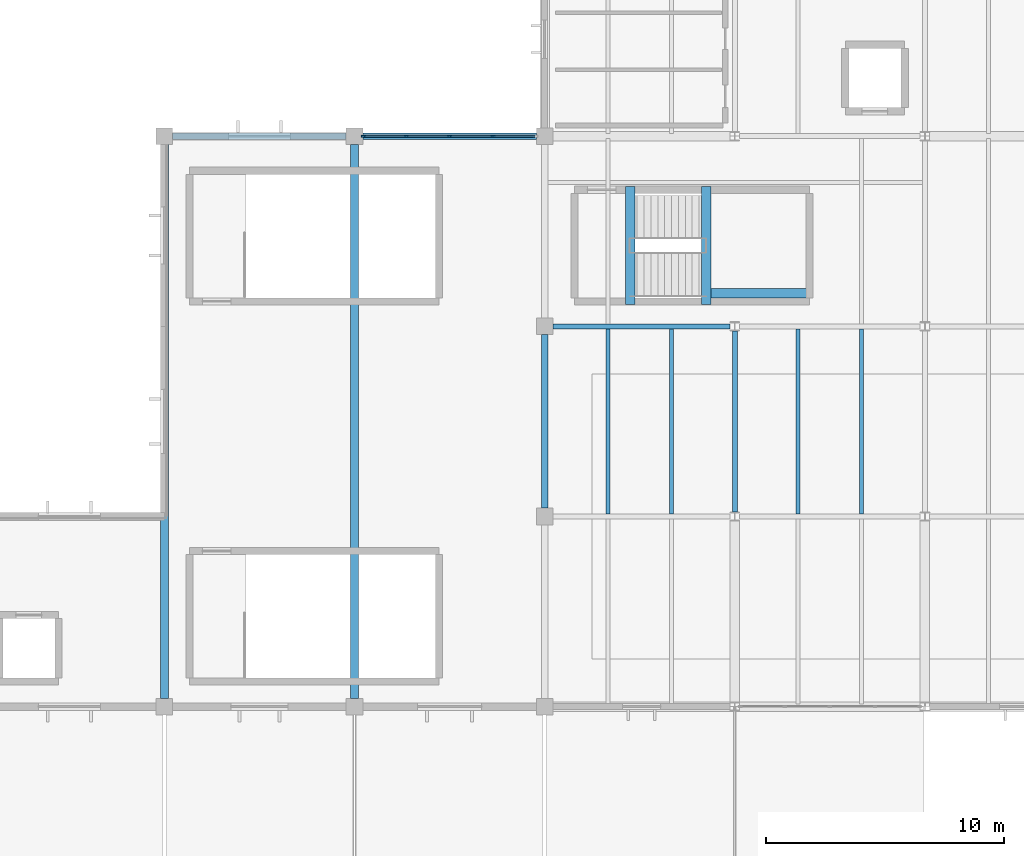
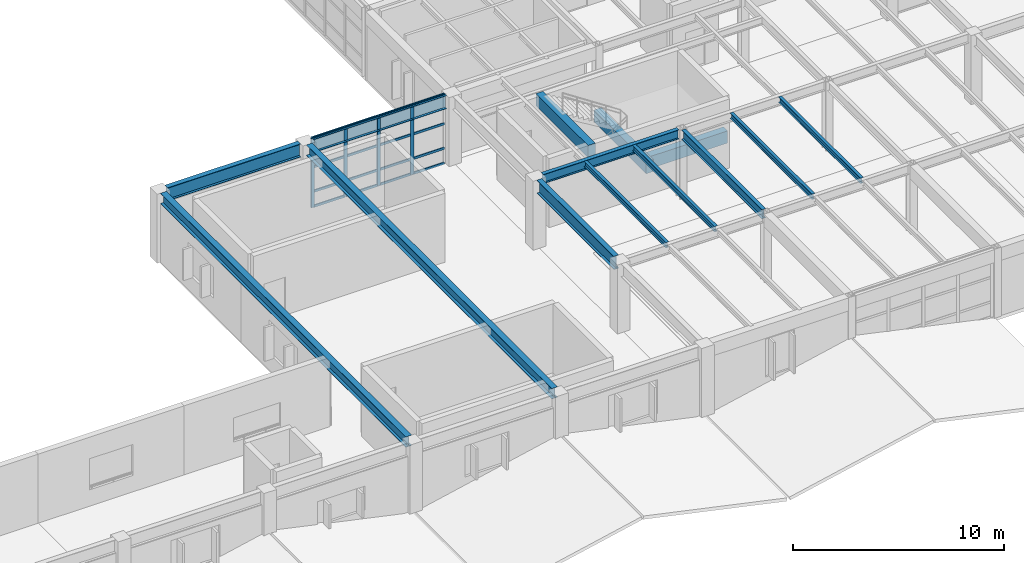
# One storey, part 22 of 48: 20 members, 14 beams, 1 element without a shape of its own.
"""IFC4 building model written with IfcOpenShell, lengths in metres."""

from ifc_helpers import new_model, si_unit, direction, frame, origin, origin_2d, place, context, subcontext, project, spatial, rectangle, i_section, extrude, material, layer, layer_set, material_profile, profile_set, type_object, element, aggregate, save


model = new_model("IFC4")

# Units and contexts
model_context = context("Model", 3, precision=1e-05, world=origin(), true_north=direction((0.0, 1.0)))
body_context = subcontext(model_context, "Body", "Model", "MODEL_VIEW")
ifc_project = project(units=[si_unit("LENGTHUNIT", "METRE"), si_unit("AREAUNIT", "SQUARE_METRE"), si_unit("VOLUMEUNIT", "CUBIC_METRE"), si_unit("PLANEANGLEUNIT", "RADIAN"), si_unit("MASSUNIT", "GRAM", prefix="KILO")], contexts=[model_context])

# Site, building, storey
site_placement = place(None, origin())
site = spatial("IfcSite", under=ifc_project, at=site_placement, CompositionType="ELEMENT")
building_placement = place(site_placement, origin())
building = spatial("IfcBuilding", under=site, at=building_placement, Name="Varnela Railside Interchange", CompositionType="ELEMENT")
storey_placement = place(building_placement, frame((0.0, 0.0, 11.199951171875)))
storey = spatial("IfcBuildingStorey", under=building, at=storey_placement, Name="L02", CompositionType="ELEMENT", Elevation=11.199951171875)

# Beams
ifc_material_1 = material(Name="Steel AR 350 (350 MPa)", Category="steel")
ifc_material_profile_1 = material_profile(ifc_material_1, i_section(OverallWidth=0.323974609375, OverallDepth=0.611083984375, WebThickness=0.0126953125, FlangeThickness=0.01904296875, at=origin_2d()), Name="W610x155")
ifc_profile_set_1 = profile_set([ifc_material_profile_1], Name="Steel AR 350 (350 MPa)")
beam_type_1 = type_object("IfcBeamType", Name="Auditorium Roof Girder B-14", PredefinedType="BEAM", material=ifc_profile_set_1)
for number, where, z_axis, x_axis, name in (
    (1, (100.0, 38.35009765625, 3.694580078125), (0.0, 1.0, 0.0), (-1.0, 0.0, 0.0), "Auditorium Roof Girder B-14 (L02) (BM-2019)"),
    (2, (108.0, 38.35009765625, 3.694580078125), (0.0, 1.0, 0.0), (-1.0, 0.0, 0.0), "Auditorium Roof Girder B-14 (L02) (BM-2020)"),
):
    element("IfcBeam", number, at=place(storey_placement, frame(where, z_axis=z_axis, x_axis=x_axis)), inside=storey, type_object=beam_type_1, Name=name, PredefinedType="BEAM", context=body_context, shape_type="SweptSolid", body=[
        extrude(i_section(OverallWidth=0.323974609375, OverallDepth=0.611083984375, WebThickness=0.0126953125, FlangeThickness=0.01904296875, at=origin_2d()), origin(), (0.0, 0.0, 1.0), 23.2998046875),
    ])
ifc_material_profile_2 = material_profile(ifc_material_1, i_section(OverallWidth=0.2109375, OverallDepth=0.5390625, WebThickness=0.01171875, FlangeThickness=0.018798828125, at=origin_2d()), Name="W530x109")
ifc_profile_set_2 = profile_set([ifc_material_profile_2], Name="Steel AR 350 (350 MPa)")
beam_type_2 = type_object("IfcBeamType", Name="Composite Girder B-17", PredefinedType="BEAM", material=ifc_profile_set_2)
beam_1_placement = place(storey_placement, frame((124.0, 46.1875, 3.73046875), z_axis=(0.0, 1.0, 0.0), x_axis=(-1.0, 0.0, 0.0)))
element("IfcBeam", 3, at=beam_1_placement, inside=storey, type_object=beam_type_2, Name="Composite Girder B-17 (L02) (BM-2029)", PredefinedType="BEAM", context=body_context, shape_type="SweptSolid", body=[
    extrude(i_section(OverallWidth=0.2109375, OverallDepth=0.5390625, WebThickness=0.01171875, FlangeThickness=0.018798828125, at=origin_2d()), origin(), (0.0, 0.0, 1.0), 7.625),
])
ifc_material_profile_3 = material_profile(ifc_material_1, i_section(OverallWidth=0.2119140625, OverallDepth=0.5439453125, WebThickness=0.01318359375, FlangeThickness=0.021240234375, at=origin_2d()), Name="W530x123")
ifc_profile_set_3 = profile_set([ifc_material_profile_3], Name="Steel AR 350 (350 MPa)")
beam_type_3 = type_object("IfcBeamType", Name="Composite Heavy Girder B-16", PredefinedType="BEAM", material=ifc_profile_set_3)
beam_2_placement = place(storey_placement, frame((116.35009765625, 54.0, 3.72802734375), z_axis=(1.0, 0.0, 0.0), x_axis=(0.0, 1.0, 0.0)))
element("IfcBeam", 4, at=beam_2_placement, inside=storey, type_object=beam_type_3, Name="Composite Heavy Girder B-16 (L02) (BM-1964)", PredefinedType="BEAM", context=body_context, shape_type="SweptSolid", body=[
    extrude(i_section(OverallWidth=0.2119140625, OverallDepth=0.5439453125, WebThickness=0.01318359375, FlangeThickness=0.021240234375, at=origin_2d()), origin(), (0.0, 0.0, 1.0), 7.452880859375),
])
ifc_material_profile_4 = material_profile(ifc_material_1, i_section(OverallWidth=0.1669921875, OverallDepth=0.31689453125, WebThickness=0.007568359375, FlangeThickness=0.01318359375, at=origin_2d()), Name="W310x52")
ifc_profile_set_4 = profile_set([ifc_material_profile_4], Name="Steel AR 350 (350 MPa)")
beam_type_4 = type_object("IfcBeamType", Name="Composite Long-Span Joist J-03", PredefinedType="JOIST", material=ifc_profile_set_4)
for number, where, z_axis, x_axis, name in (
    (5, (118.669921875, 46.10595703125, 3.841552734375), (0.0, 1.0, 0.0), (-1.0, 0.0, 0.0), "Composite Long-Span Joist J-03 (L02) (BM-1843)"),
    (6, (121.330078125, 46.10595703125, 3.841552734375), (0.0, 1.0, 0.0), (-1.0, 0.0, 0.0), "Composite Long-Span Joist J-03 (L02) (BM-1844)"),
    (7, (126.669921875, 46.10595703125, 3.841552734375), (0.0, 1.0, 0.0), (-1.0, 0.0, 0.0), "Composite Long-Span Joist J-03 (L02) (BM-1856)"),
    (8, (129.330078125, 46.10595703125, 3.841552734375), (0.0, 1.0, 0.0), (-1.0, 0.0, 0.0), "Composite Long-Span Joist J-03 (L02) (BM-1857)"),
):
    element("IfcBeam", number, at=place(storey_placement, frame(where, z_axis=z_axis, x_axis=x_axis)), inside=storey, type_object=beam_type_4, Name=name, PredefinedType="JOIST", context=body_context, shape_type="SweptSolid", body=[
        extrude(i_section(OverallWidth=0.1669921875, OverallDepth=0.31689453125, WebThickness=0.007568359375, FlangeThickness=0.01318359375, at=origin_2d()), origin(), (0.0, 0.0, 1.0), 7.7880859375),
    ])
ifc_material_profile_5 = material_profile(ifc_material_1, i_section(OverallWidth=0.26806640625, OverallDepth=0.77001953125, WebThickness=0.015625, FlangeThickness=0.025390625, at=origin_2d()), Name="W760x196")
ifc_profile_set_5 = profile_set([ifc_material_profile_5], Name="Steel AR 350 (350 MPa)")
beam_type_5 = type_object("IfcBeamType", Name="Concourse Compression Ring Beam RB-01", PredefinedType="BEAM", material=ifc_profile_set_5)
for number, where, z_axis, x_axis, name in (
    (9, (100.35009765625, 62.0, 3.614990234375), (1.0, 0.0, 0.0), (0.0, 1.0, 0.0), "Concourse Compression Ring Beam RB-01 (L02) (BM-1973)"),
    (10, (108.35009765625, 62.0, 3.614990234375), (1.0, 0.0, 0.0), (0.0, 1.0, 0.0), "Concourse Compression Ring Beam RB-01 (L02) (BM-1974)"),
    (11, (116.0, 46.35009765625, 3.614990234375), (0.0, 1.0, 0.0), (-1.0, 0.0, 0.0), "Concourse Compression Ring Beam RB-01 (L02) (BM-2022)"),
):
    element("IfcBeam", number, at=place(storey_placement, frame(where, z_axis=z_axis, x_axis=x_axis)), inside=storey, type_object=beam_type_5, Name=name, PredefinedType="BEAM", context=body_context, shape_type="SweptSolid", body=[
        extrude(i_section(OverallWidth=0.26806640625, OverallDepth=0.77001953125, WebThickness=0.015625, FlangeThickness=0.025390625, at=origin_2d()), origin(), (0.0, 0.0, 1.0), 7.2998046875),
    ])

# Curtain wall, members
ifc_material_2 = material(Name="Aluminium 6063-T6", Category="aluminium")
ifc_layer = layer(ifc_material_2, 0.035888671875)
ifc_layer_set = layer_set([ifc_layer], Name="Aluminium 6063-T6")
curtain_wall_type = type_object("IfcCurtainWallType", Name="Concourse Triple-Height Curtain Wall CW-01", PredefinedType="USERDEFINED", material=ifc_layer_set)
curtain_wall_placement = place(storey_placement, origin())
curtain_wall = element("IfcCurtainWall", 12, at=curtain_wall_placement, inside=storey, type_object=curtain_wall_type, Name="Curtain Wall CW-01 (L02) (CW-054)", ObjectType="CURTAIN WALL", PredefinedType="USERDEFINED")
ifc_material_profile_6 = material_profile(ifc_material_2, rectangle(XDim=0.06494140625, YDim=0.179931640625, at=origin_2d()), Name="ALU 65x180")
ifc_profile_set_6 = profile_set([ifc_material_profile_6], Name="Aluminium 6063-T6")
member_type_1 = type_object("IfcMemberType", Name="Concourse Tall Mullion ML-03", PredefinedType="MULLION", material=ifc_profile_set_6)
member_1_placement = place(storey_placement, frame((108.382568359375, 62.0, 0.0), z_axis=(0.0, 0.0, 1.0), x_axis=(0.0, 1.0, 0.0)))
member_1 = element("IfcMember", 13, at=member_1_placement, type_object=member_type_1, Name="CW-01 mullion 1", PredefinedType="MULLION", context=body_context, shape_type="SweptSolid", body=[
    extrude(rectangle(XDim=0.06494140625, YDim=0.179931640625, at=origin_2d()), origin(), (0.0, 0.0, 1.0), 4.0),
])
member_2_placement = place(storey_placement, frame((110.175048828125, 62.0, 0.0), z_axis=(0.0, 0.0, 1.0), x_axis=(0.0, 1.0, 0.0)))
member_2 = element("IfcMember", 14, at=member_2_placement, type_object=member_type_1, Name="CW-01 mullion 2", PredefinedType="MULLION", context=body_context, shape_type="SweptSolid", body=[
    extrude(rectangle(XDim=0.06494140625, YDim=0.179931640625, at=origin_2d()), origin(), (0.0, 0.0, 1.0), 4.0),
])
member_3_placement = place(storey_placement, frame((112.0, 62.0, 0.0), z_axis=(0.0, 0.0, 1.0), x_axis=(0.0, 1.0, 0.0)))
member_3 = element("IfcMember", 15, at=member_3_placement, type_object=member_type_1, Name="CW-01 mullion 3", PredefinedType="MULLION", context=body_context, shape_type="SweptSolid", body=[
    extrude(rectangle(XDim=0.06494140625, YDim=0.179931640625, at=origin_2d()), origin(), (0.0, 0.0, 1.0), 4.0),
])
member_4_placement = place(storey_placement, frame((113.824951171875, 62.0, 0.0), z_axis=(0.0, 0.0, 1.0), x_axis=(0.0, 1.0, 0.0)))
member_4 = element("IfcMember", 16, at=member_4_placement, type_object=member_type_1, Name="CW-01 mullion 4", PredefinedType="MULLION", context=body_context, shape_type="SweptSolid", body=[
    extrude(rectangle(XDim=0.06494140625, YDim=0.179931640625, at=origin_2d()), origin(), (0.0, 0.0, 1.0), 4.0),
])
ifc_material_profile_7 = material_profile(ifc_material_2, rectangle(XDim=0.06494140625, YDim=0.135009765625, at=origin_2d()), Name="ALU 65x135")
ifc_profile_set_7 = profile_set([ifc_material_profile_7], Name="Aluminium 6063-T6")
member_type_2 = type_object("IfcMemberType", Name="Concourse Transom TR-03", PredefinedType="USERDEFINED", material=ifc_profile_set_7)
member_5_placement = place(storey_placement, frame((108.4150390625, 62.0, 0.032470703125), z_axis=(1.0, 0.0, 0.0), x_axis=(0.0, 1.0, 0.0)))
member_5 = element("IfcMember", 17, at=member_5_placement, type_object=member_type_2, Name="CW-01 transom 1.1", ObjectType="TRANSOM", PredefinedType="USERDEFINED", context=body_context, shape_type="SweptSolid", body=[
    extrude(rectangle(XDim=0.06494140625, YDim=0.135009765625, at=origin_2d()), origin(), (0.0, 0.0, 1.0), 1.7275390625),
])
member_6_placement = place(storey_placement, frame((108.4150390625, 62.0, 0.900146484375), z_axis=(1.0, 0.0, 0.0), x_axis=(0.0, 1.0, 0.0)))
member_6 = element("IfcMember", 18, at=member_6_placement, type_object=member_type_2, Name="CW-01 transom 1.2", ObjectType="TRANSOM", PredefinedType="USERDEFINED", context=body_context, shape_type="SweptSolid", body=[
    extrude(rectangle(XDim=0.06494140625, YDim=0.135009765625, at=origin_2d()), origin(), (0.0, 0.0, 1.0), 1.7275390625),
])
member_7_placement = place(storey_placement, frame((108.4150390625, 62.0, 2.320068359375), z_axis=(1.0, 0.0, 0.0), x_axis=(0.0, 1.0, 0.0)))
member_7 = element("IfcMember", 19, at=member_7_placement, type_object=member_type_2, Name="CW-01 transom 1.3", ObjectType="TRANSOM", PredefinedType="USERDEFINED", context=body_context, shape_type="SweptSolid", body=[
    extrude(rectangle(XDim=0.06494140625, YDim=0.135009765625, at=origin_2d()), origin(), (0.0, 0.0, 1.0), 1.7275390625),
])
member_8_placement = place(storey_placement, frame((108.4150390625, 62.0, 3.967529296875), z_axis=(1.0, 0.0, 0.0), x_axis=(0.0, 1.0, 0.0)))
member_8 = element("IfcMember", 20, at=member_8_placement, type_object=member_type_2, Name="CW-01 transom 1.4", ObjectType="TRANSOM", PredefinedType="USERDEFINED", context=body_context, shape_type="SweptSolid", body=[
    extrude(rectangle(XDim=0.06494140625, YDim=0.135009765625, at=origin_2d()), origin(), (0.0, 0.0, 1.0), 1.7275390625),
])
member_9_placement = place(storey_placement, frame((110.20751953125, 62.0, 0.032470703125), z_axis=(1.0, 0.0, 0.0), x_axis=(0.0, 1.0, 0.0)))
member_9 = element("IfcMember", 21, at=member_9_placement, type_object=member_type_2, Name="CW-01 transom 2.1", ObjectType="TRANSOM", PredefinedType="USERDEFINED", context=body_context, shape_type="SweptSolid", body=[
    extrude(rectangle(XDim=0.06494140625, YDim=0.135009765625, at=origin_2d()), origin(), (0.0, 0.0, 1.0), 1.760009765625),
])
member_10_placement = place(storey_placement, frame((110.20751953125, 62.0, 0.900146484375), z_axis=(1.0, 0.0, 0.0), x_axis=(0.0, 1.0, 0.0)))
member_10 = element("IfcMember", 22, at=member_10_placement, type_object=member_type_2, Name="CW-01 transom 2.2", ObjectType="TRANSOM", PredefinedType="USERDEFINED", context=body_context, shape_type="SweptSolid", body=[
    extrude(rectangle(XDim=0.06494140625, YDim=0.135009765625, at=origin_2d()), origin(), (0.0, 0.0, 1.0), 1.760009765625),
])
member_11_placement = place(storey_placement, frame((110.20751953125, 62.0, 2.320068359375), z_axis=(1.0, 0.0, 0.0), x_axis=(0.0, 1.0, 0.0)))
member_11 = element("IfcMember", 23, at=member_11_placement, type_object=member_type_2, Name="CW-01 transom 2.3", ObjectType="TRANSOM", PredefinedType="USERDEFINED", context=body_context, shape_type="SweptSolid", body=[
    extrude(rectangle(XDim=0.06494140625, YDim=0.135009765625, at=origin_2d()), origin(), (0.0, 0.0, 1.0), 1.760009765625),
])
member_12_placement = place(storey_placement, frame((110.20751953125, 62.0, 3.967529296875), z_axis=(1.0, 0.0, 0.0), x_axis=(0.0, 1.0, 0.0)))
member_12 = element("IfcMember", 24, at=member_12_placement, type_object=member_type_2, Name="CW-01 transom 2.4", ObjectType="TRANSOM", PredefinedType="USERDEFINED", context=body_context, shape_type="SweptSolid", body=[
    extrude(rectangle(XDim=0.06494140625, YDim=0.135009765625, at=origin_2d()), origin(), (0.0, 0.0, 1.0), 1.760009765625),
])
member_13_placement = place(storey_placement, frame((112.032470703125, 62.0, 0.032470703125), z_axis=(1.0, 0.0, 0.0), x_axis=(0.0, 1.0, 0.0)))
member_13 = element("IfcMember", 25, at=member_13_placement, type_object=member_type_2, Name="CW-01 transom 3.1", ObjectType="TRANSOM", PredefinedType="USERDEFINED", context=body_context, shape_type="SweptSolid", body=[
    extrude(rectangle(XDim=0.06494140625, YDim=0.135009765625, at=origin_2d()), origin(), (0.0, 0.0, 1.0), 1.760009765625),
])
member_14_placement = place(storey_placement, frame((112.032470703125, 62.0, 0.900146484375), z_axis=(1.0, 0.0, 0.0), x_axis=(0.0, 1.0, 0.0)))
member_14 = element("IfcMember", 26, at=member_14_placement, type_object=member_type_2, Name="CW-01 transom 3.2", ObjectType="TRANSOM", PredefinedType="USERDEFINED", context=body_context, shape_type="SweptSolid", body=[
    extrude(rectangle(XDim=0.06494140625, YDim=0.135009765625, at=origin_2d()), origin(), (0.0, 0.0, 1.0), 1.760009765625),
])
member_15_placement = place(storey_placement, frame((112.032470703125, 62.0, 2.320068359375), z_axis=(1.0, 0.0, 0.0), x_axis=(0.0, 1.0, 0.0)))
member_15 = element("IfcMember", 27, at=member_15_placement, type_object=member_type_2, Name="CW-01 transom 3.3", ObjectType="TRANSOM", PredefinedType="USERDEFINED", context=body_context, shape_type="SweptSolid", body=[
    extrude(rectangle(XDim=0.06494140625, YDim=0.135009765625, at=origin_2d()), origin(), (0.0, 0.0, 1.0), 1.760009765625),
])
member_16_placement = place(storey_placement, frame((112.032470703125, 62.0, 3.967529296875), z_axis=(1.0, 0.0, 0.0), x_axis=(0.0, 1.0, 0.0)))
member_16 = element("IfcMember", 28, at=member_16_placement, type_object=member_type_2, Name="CW-01 transom 3.4", ObjectType="TRANSOM", PredefinedType="USERDEFINED", context=body_context, shape_type="SweptSolid", body=[
    extrude(rectangle(XDim=0.06494140625, YDim=0.135009765625, at=origin_2d()), origin(), (0.0, 0.0, 1.0), 1.760009765625),
])
member_17_placement = place(storey_placement, frame((113.857421875, 62.0, 0.032470703125), z_axis=(1.0, 0.0, 0.0), x_axis=(0.0, 1.0, 0.0)))
member_17 = element("IfcMember", 29, at=member_17_placement, type_object=member_type_2, Name="CW-01 transom 4.1", ObjectType="TRANSOM", PredefinedType="USERDEFINED", context=body_context, shape_type="SweptSolid", body=[
    extrude(rectangle(XDim=0.06494140625, YDim=0.135009765625, at=origin_2d()), origin(), (0.0, 0.0, 1.0), 1.7275390625),
])
member_18_placement = place(storey_placement, frame((113.857421875, 62.0, 0.900146484375), z_axis=(1.0, 0.0, 0.0), x_axis=(0.0, 1.0, 0.0)))
member_18 = element("IfcMember", 30, at=member_18_placement, type_object=member_type_2, Name="CW-01 transom 4.2", ObjectType="TRANSOM", PredefinedType="USERDEFINED", context=body_context, shape_type="SweptSolid", body=[
    extrude(rectangle(XDim=0.06494140625, YDim=0.135009765625, at=origin_2d()), origin(), (0.0, 0.0, 1.0), 1.7275390625),
])
member_19_placement = place(storey_placement, frame((113.857421875, 62.0, 2.320068359375), z_axis=(1.0, 0.0, 0.0), x_axis=(0.0, 1.0, 0.0)))
member_19 = element("IfcMember", 31, at=member_19_placement, type_object=member_type_2, Name="CW-01 transom 4.3", ObjectType="TRANSOM", PredefinedType="USERDEFINED", context=body_context, shape_type="SweptSolid", body=[
    extrude(rectangle(XDim=0.06494140625, YDim=0.135009765625, at=origin_2d()), origin(), (0.0, 0.0, 1.0), 1.7275390625),
])
member_20_placement = place(storey_placement, frame((113.857421875, 62.0, 3.967529296875), z_axis=(1.0, 0.0, 0.0), x_axis=(0.0, 1.0, 0.0)))
member_20 = element("IfcMember", 32, at=member_20_placement, type_object=member_type_2, Name="CW-01 transom 4.4", ObjectType="TRANSOM", PredefinedType="USERDEFINED", context=body_context, shape_type="SweptSolid", body=[
    extrude(rectangle(XDim=0.06494140625, YDim=0.135009765625, at=origin_2d()), origin(), (0.0, 0.0, 1.0), 1.7275390625),
])
aggregate(curtain_wall, [member_1, member_2, member_3, member_4, member_5, member_6, member_7, member_8, member_9, member_10, member_11, member_12, member_13, member_14, member_15, member_16, member_17, member_18, member_19, member_20])

# Beams
ifc_material_3 = material(Name="Concrete C40", Category="concrete")
ifc_material_profile_8 = material_profile(ifc_material_3, rectangle(XDim=0.39990234375, YDim=0.699951171875, at=origin_2d()), Name="RC 400x700")
ifc_profile_set_8 = profile_set([ifc_material_profile_8], Name="Concrete C40")
beam_type_6 = type_object("IfcBeamType", Name="Concrete Tie Beam B-01", PredefinedType="BEAM", material=ifc_profile_set_8)
for number, where, z_axis, x_axis, name in (
    (33, (119.60009765625, 54.919921875, 3.650146484375), (0.0, 1.0, 0.0), (-1.0, 0.0, 0.0), "Concrete Tie Beam B-01 (L02) (BM-2112)"),
    (34, (122.7900390625, 54.919921875, 1.590087890625), (0.0, 1.0, 0.0), (-1.0, 0.0, 0.0), "Concrete Tie Beam B-01 (L02) (BM-2106)"),
):
    element("IfcBeam", number, at=place(storey_placement, frame(where, z_axis=z_axis, x_axis=x_axis)), inside=storey, type_object=beam_type_6, Name=name, PredefinedType="BEAM", context=body_context, shape_type="SweptSolid", body=[
        extrude(rectangle(XDim=0.39990234375, YDim=0.699951171875, at=origin_2d()), origin(), (0.0, 0.0, 1.0), 4.9599609375),
    ])
beam_3_placement = place(storey_placement, frame((122.989990234375, 55.39990234375, 1.590087890625), z_axis=(1.0, 0.0, 0.0), x_axis=(0.0, 1.0, 0.0)))
element("IfcBeam", 35, at=beam_3_placement, inside=storey, type_object=beam_type_6, Name="Concrete Tie Beam B-01 (L02) (BM-2100)", PredefinedType="BEAM", context=body_context, shape_type="SweptSolid", body=[
    extrude(rectangle(XDim=0.39990234375, YDim=0.699951171875, at=origin_2d()), origin(), (0.0, 0.0, 1.0), 4.22998046875),
])

save(model, "model.ifc")
